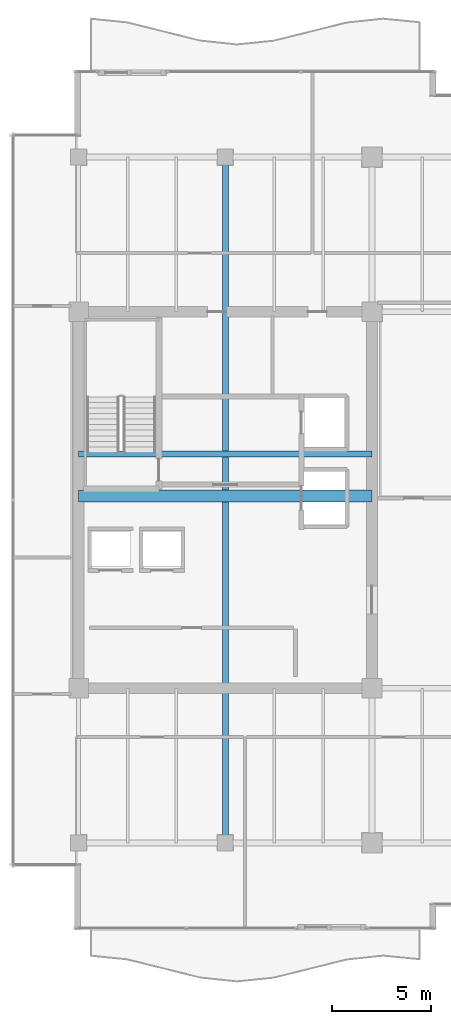
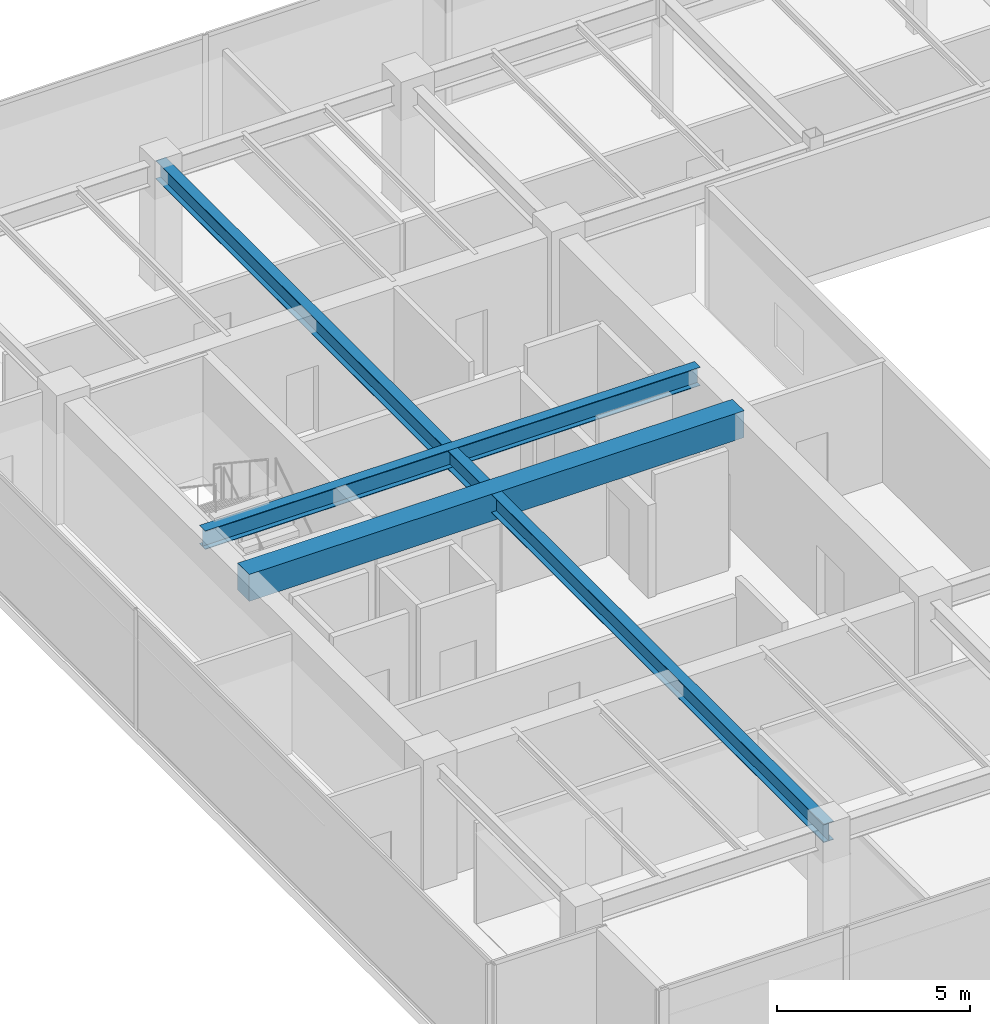
# One storey, part 9 of 35: 3 beams.
"""IFC4 building model written with IfcOpenShell, lengths in metres."""

from ifc_helpers import new_model, si_unit, direction, frame, origin, origin_2d, place, context, subcontext, project, spatial, rectangle, i_section, extrude, source, transform, mapped, material, material_profile, profile_set, type_object, type_shapes, element, save


model = new_model("IFC4")

# Units and contexts
model_context = context("Model", 3, precision=1e-05, world=origin(), true_north=direction((0.0, 1.0)))
body_context = subcontext(model_context, "Body", "Model", "MODEL_VIEW")
ifc_project = project(units=[si_unit("LENGTHUNIT", "METRE"), si_unit("AREAUNIT", "SQUARE_METRE"), si_unit("VOLUMEUNIT", "CUBIC_METRE"), si_unit("PLANEANGLEUNIT", "RADIAN"), si_unit("MASSUNIT", "GRAM", prefix="KILO")], contexts=[model_context])

# Site, building, storey
site_placement = place(None, origin())
site = spatial("IfcSite", under=ifc_project, at=site_placement, CompositionType="ELEMENT")
building_placement = place(site_placement, origin())
building = spatial("IfcBuilding", under=site, at=building_placement, Name="Haelvirn Gate Laboratories", CompositionType="ELEMENT")
storey_placement = place(building_placement, frame((0.0, 0.0, 283.39990234375)))
storey = spatial("IfcBuildingStorey", under=building, at=storey_placement, Name="L68", CompositionType="ELEMENT", Elevation=283.39990234375)

# Beams
ifc_material_1 = material(Name="Steel SM355", Category="steel")
ifc_material_profile_1 = material_profile(ifc_material_1, i_section(OverallWidth=0.300048828125, OverallDepth=0.587890625, WebThickness=0.011962890625, FlangeThickness=0.02001953125, at=origin_2d()), Name="H-588x300x12x20")
ifc_profile_set_1 = profile_set([ifc_material_profile_1], Name="Steel SM355")
beam_type_1 = type_object("IfcBeamType", Name="BM-G-588", PredefinedType="BEAM", material=ifc_profile_set_1)
shared_shape_1 = source(origin(), body_context, "Body", "SweptSolid", [
    extrude(i_section(OverallWidth=0.300048828125, OverallDepth=0.587890625, WebThickness=0.011962890625, FlangeThickness=0.02001953125, at=origin_2d()), origin(), (0.0, 0.0, 1.0), 14.800048828125),
])
beam_1_placement = place(storey_placement, frame((7.39990234375, 26.6201171875, 3.506103515625), z_axis=(1.0, 0.0, 0.0), x_axis=(0.0, 1.0, 0.0)))
element("IfcBeam", 1, at=beam_1_placement, inside=storey, type_object=beam_type_1, Name="L68 Stair ST1 Landing Header", PredefinedType="BEAM", context=body_context, shape_type="MappedRepresentation", body=[
    mapped(shared_shape_1, transform((0.0, 0.0, 0.0), scale=1.0)),
])
shared_shape_2 = source(origin(), body_context, "Body", "SweptSolid", [
    extrude(i_section(OverallWidth=0.300048828125, OverallDepth=0.587890625, WebThickness=0.011962890625, FlangeThickness=0.02001953125, at=origin_2d()), origin(), (0.0, 0.0, 1.0), 34.60009765625),
])
type_shapes(beam_type_1, [shared_shape_1, shared_shape_2])
beam_2_placement = place(storey_placement, frame((14.800048828125, 7.0, 3.506103515625), z_axis=(0.0, 1.0, 0.0), x_axis=(-1.0, 0.0, 0.0)))
element("IfcBeam", 2, at=beam_2_placement, inside=storey, type_object=beam_type_1, Name="L68 Frame Girder X14.8 (7.0-41.6)", PredefinedType="BEAM", context=body_context, shape_type="MappedRepresentation", body=[
    mapped(shared_shape_2, transform((0.0, 0.0, 0.0), scale=1.0)),
])
ifc_material_2 = material(Name="Concrete C50/60", Category="concrete")
ifc_material_profile_2 = material_profile(ifc_material_2, rectangle(XDim=0.60009765625, YDim=0.85009765625, at=origin_2d()), Name="RCB-600x850")
ifc_profile_set_2 = profile_set([ifc_material_profile_2], Name="Concrete C50/60")
beam_type_2 = type_object("IfcBeamType", Name="BM-RCB-850", PredefinedType="LINTEL", material=ifc_profile_set_2)
shared_shape_3 = source(origin(), body_context, "Body", "SweptSolid", [
    extrude(rectangle(XDim=0.60009765625, YDim=0.85009765625, at=origin_2d()), origin(), (0.0, 0.0, 1.0), 14.800048828125),
])
type_shapes(beam_type_2, [shared_shape_3])
beam_3_placement = place(storey_placement, frame((7.39990234375, 24.5, 3.375), z_axis=(1.0, 0.0, 0.0), x_axis=(0.0, 1.0, 0.0)))
element("IfcBeam", 3, at=beam_3_placement, inside=storey, type_object=beam_type_2, Name="L68 West Core Coupling Beam", PredefinedType="LINTEL", context=body_context, shape_type="MappedRepresentation", body=[
    mapped(shared_shape_3, transform((0.0, 0.0, 0.0), scale=1.0)),
])

save(model, "model.ifc")
